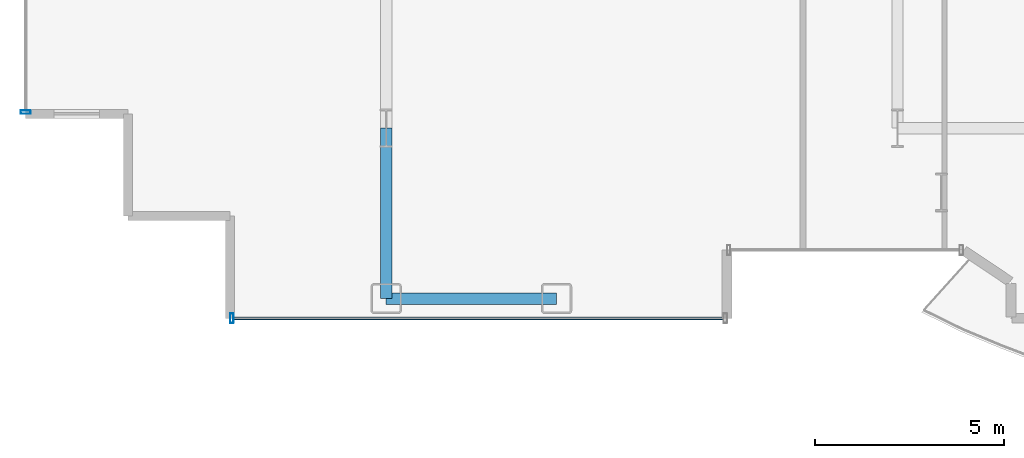
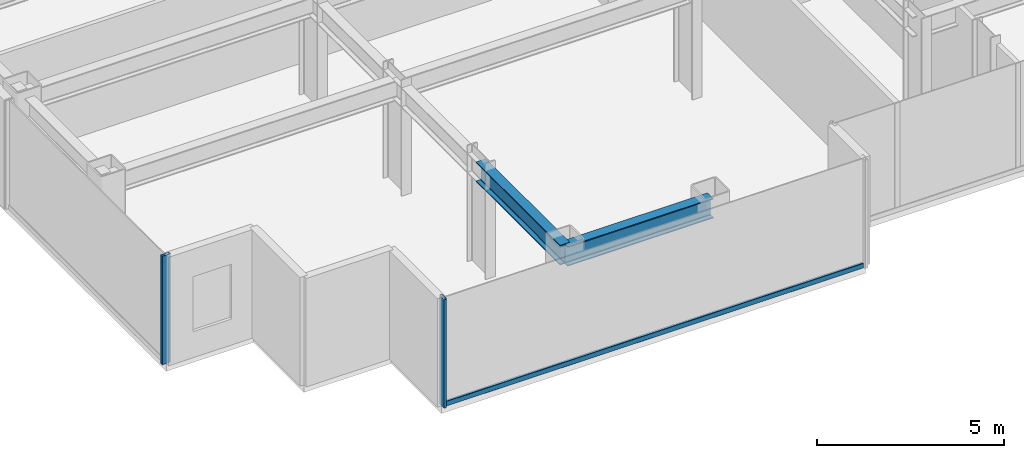
# One storey, part 2 of 29: 3 members, 2 beams, 2 elements without a shape of their own.
"""IFC4 building model written with IfcOpenShell, lengths in metres."""

from ifc_helpers import new_model, si_unit, direction, frame, origin, origin_2d, place, context, subcontext, project, spatial, hollow_rectangle, i_section, extrude, source, transform, mapped, material, layer, layer_set, material_profile, profile_set, type_object, element, aggregate, save


model = new_model("IFC4")

# Units and contexts
model_context = context("Model", 3, precision=1e-05, world=origin(), true_north=direction((0.0, 1.0)))
body_context = subcontext(model_context, "Body", "Model", "MODEL_VIEW")
ifc_project = project(units=[si_unit("LENGTHUNIT", "METRE"), si_unit("AREAUNIT", "SQUARE_METRE"), si_unit("VOLUMEUNIT", "CUBIC_METRE"), si_unit("PLANEANGLEUNIT", "RADIAN"), si_unit("MASSUNIT", "GRAM", prefix="KILO")], contexts=[model_context])

# Site, building, storey
site_placement = place(None, origin())
site = spatial("IfcSite", under=ifc_project, at=site_placement, CompositionType="ELEMENT")
building_placement = place(site_placement, origin())
building = spatial("IfcBuilding", under=site, at=building_placement, Name="Nefas-Gora Pilgrimage Tower", CompositionType="ELEMENT")
storey_placement = place(building_placement, frame((0.0, 0.0, 136.39990234375)))
storey = spatial("IfcBuildingStorey", under=building, at=storey_placement, Name="L33", CompositionType="ELEMENT", Elevation=136.39990234375)

# Beams
ifc_material_1 = material(Name="Steel S355", Category="steel")
ifc_material_profile_1 = material_profile(ifc_material_1, i_section(OverallWidth=0.300048828125, OverallDepth=0.64990234375, WebThickness=0.01611328125, FlangeThickness=0.031005859375, FilletRadius=0.027099609375, at=origin_2d()), Name="HEB 650")
ifc_profile_set_1 = profile_set([ifc_material_profile_1], Name="Steel S355")
beam_type_1 = type_object("IfcBeamType", Name="BM-SPN-HEB500", PredefinedType="SPANDREL", material=ifc_profile_set_1)
shared_shape_1 = source(origin(), body_context, "Body", "SweptSolid", [
    extrude(i_section(OverallWidth=0.300048828125, OverallDepth=0.64990234375, WebThickness=0.01611328125, FlangeThickness=0.031005859375, FilletRadius=0.027099609375, at=origin_2d()), origin(), (0.0, 0.0, 1.0), 4.5),
])
beam_1_placement = place(storey_placement, frame((-24.75, -22.5, 3.22509765625), z_axis=(1.0, 0.0, 0.0), x_axis=(0.0, 1.0, 0.0)))
element("IfcBeam", 1, at=beam_1_placement, inside=storey, type_object=beam_type_1, Name="L33 SP-02 beam", PredefinedType="SPANDREL", context=body_context, shape_type="MappedRepresentation", body=[
    mapped(shared_shape_1, transform((0.0, 0.0, 0.0), x_axis=(1.0, 0.0, 0.0), y_axis=(0.0, 1.0, 0.0), z_axis=(0.0, 0.0, 1.0), scale=1.0)),
])
ifc_material_profile_2 = material_profile(ifc_material_1, i_section(OverallWidth=0.300048828125, OverallDepth=0.64990234375, WebThickness=0.01611328125, FlangeThickness=0.031005859375, FilletRadius=0.027099609375, at=origin_2d()), Name="HEB 650")
ifc_profile_set_2 = profile_set([ifc_material_profile_2], Name="Steel S355")
beam_type_2 = type_object("IfcBeamType", Name="BM-GIR-HEB650", PredefinedType="BEAM", material=ifc_profile_set_2)
shared_shape_2 = source(origin(), body_context, "Body", "SweptSolid", [
    extrude(i_section(OverallWidth=0.300048828125, OverallDepth=0.64990234375, WebThickness=0.01611328125, FlangeThickness=0.031005859375, FilletRadius=0.027099609375, at=origin_2d()), origin(), (0.0, 0.0, 1.0), 4.5),
])
beam_2_placement = place(storey_placement, frame((-24.75, -22.5, 3.22509765625), z_axis=(0.0, 1.0, 0.0), x_axis=(-1.0, 0.0, 0.0)))
element("IfcBeam", 2, at=beam_2_placement, inside=storey, type_object=beam_type_2, Name="L33 G-03 beam", PredefinedType="BEAM", context=body_context, shape_type="MappedRepresentation", body=[
    mapped(shared_shape_2, transform((0.0, 0.0, 0.0), x_axis=(1.0, 0.0, 0.0), y_axis=(0.0, 1.0, 0.0), z_axis=(0.0, 0.0, 1.0), scale=1.0)),
])

# Curtain wall, member
ifc_material_2 = material(Name="Dark ceramic-fritted solar-control aluminium-glass curtain wall", Category="aluminium")
ifc_layer = layer(ifc_material_2, 0.219970703125)
ifc_layer_set = layer_set([ifc_layer], Name="Dark ceramic-fritted solar-control aluminium-glass curtain wall")
curtain_wall_type = type_object("IfcCurtainWallType", Name="CW-SYS-2", PredefinedType="NOTDEFINED", material=ifc_layer_set)
curtain_wall_1_placement = place(storey_placement, origin())
curtain_wall_1 = element("IfcCurtainWall", 3, at=curtain_wall_1_placement, inside=storey, type_object=curtain_wall_type, Name="L33 Unitised Curtain Wall CW2", PredefinedType="NOTDEFINED")
ifc_material_3 = material(Name="Anodised architectural aluminium", Category="aluminium")
ifc_material_profile_3 = material_profile(ifc_material_3, hollow_rectangle(XDim=0.090087890625, YDim=0.260009765625, WallThickness=0.006103515625, InnerFilletRadius=0.006103515625, OuterFilletRadius=0.011962890625, at=origin_2d()), Name="ALU MULLION 90x260")
ifc_profile_set_3 = profile_set([ifc_material_profile_3], Name="Anodised architectural aluminium")
member_type_1 = type_object("IfcMemberType", Name="CWM-MUL-2", PredefinedType="MULLION", material=ifc_profile_set_3)
shared_shape_3 = source(origin(), body_context, "Body", "SweptSolid", [
    extrude(hollow_rectangle(XDim=0.090087890625, YDim=0.260009765625, WallThickness=0.006103515625, InnerFilletRadius=0.006103515625, OuterFilletRadius=0.011962890625, at=origin_2d()), origin(), (0.0, 0.0, 1.0), 3.550048828125),
])
member_1_placement = place(storey_placement, frame((-34.27001953125, -17.574951171875, 0.0), z_axis=(0.0, 0.0, 1.0), x_axis=(0.0, -1.0, 0.0)))
member_1 = element("IfcMember", 4, at=member_1_placement, type_object=member_type_1, Name="CW2 Mullion 2", PredefinedType="MULLION", context=body_context, shape_type="MappedRepresentation", body=[
    mapped(shared_shape_3, transform((0.0, 0.0, 0.0), x_axis=(1.0, 0.0, 0.0), y_axis=(0.0, 1.0, 0.0), z_axis=(0.0, 0.0, 1.0), scale=1.0)),
])
aggregate(curtain_wall_1, [member_1])

# Curtain wall, members
curtain_wall_2_placement = place(storey_placement, origin())
curtain_wall_2 = element("IfcCurtainWall", 5, at=curtain_wall_2_placement, inside=storey, type_object=curtain_wall_type, Name="L33 Unitised Curtain Wall CW2", PredefinedType="NOTDEFINED")
member_2_placement = place(storey_placement, frame((-28.824951171875, -23.02001953125, 0.0), z_axis=(0.0, 0.0, 1.0), x_axis=(1.0, 0.0, 0.0)))
member_2 = element("IfcMember", 6, at=member_2_placement, type_object=member_type_1, Name="CW2 Mullion 1", PredefinedType="MULLION", context=body_context, shape_type="MappedRepresentation", body=[
    mapped(shared_shape_3, transform((0.0, 0.0, 0.0), x_axis=(1.0, 0.0, 0.0), y_axis=(0.0, 1.0, 0.0), z_axis=(0.0, 0.0, 1.0), scale=1.0)),
])
ifc_material_profile_4 = material_profile(ifc_material_3, hollow_rectangle(XDim=0.080078125, YDim=0.159912109375, WallThickness=0.00439453125, InnerFilletRadius=0.00439453125, OuterFilletRadius=0.009033203125, at=origin_2d()), Name="ALU TRANSOM 80x160")
ifc_profile_set_4 = profile_set([ifc_material_profile_4], Name="Anodised architectural aluminium")
member_type_2 = type_object("IfcMemberType", Name="CWM-TRN-2", PredefinedType="USERDEFINED", material=ifc_profile_set_4)
shared_shape_4 = source(origin(), body_context, "Body", "SweptSolid", [
    extrude(hollow_rectangle(XDim=0.080078125, YDim=0.159912109375, WallThickness=0.00439453125, InnerFilletRadius=0.00439453125, OuterFilletRadius=0.009033203125, at=origin_2d()), origin(), (0.0, 0.0, 1.0), 12.93994140625),
])
member_3_placement = place(storey_placement, frame((-28.780029296875, -23.02001953125, 0.050048828125), z_axis=(1.0, 0.0, 0.0), x_axis=(0.0, 1.0, 0.0)))
member_3 = element("IfcMember", 7, at=member_3_placement, type_object=member_type_2, Name="CW2 Spandrel Transom", ObjectType="TRANSOM", PredefinedType="USERDEFINED", context=body_context, shape_type="MappedRepresentation", body=[
    mapped(shared_shape_4, transform((0.0, 0.0, 0.0), x_axis=(1.0, 0.0, 0.0), y_axis=(0.0, 1.0, 0.0), z_axis=(0.0, 0.0, 1.0), scale=1.0)),
])
aggregate(curtain_wall_2, [member_2, member_3])

save(model, "model.ifc")
